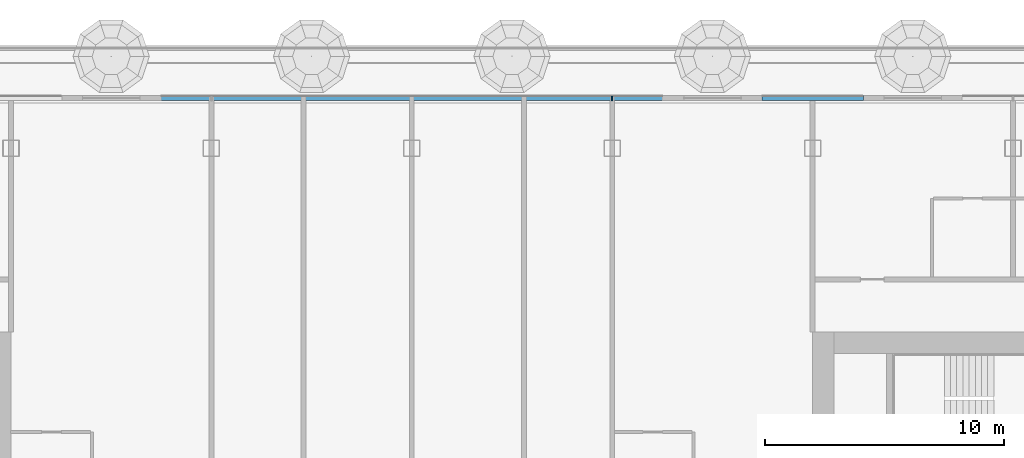
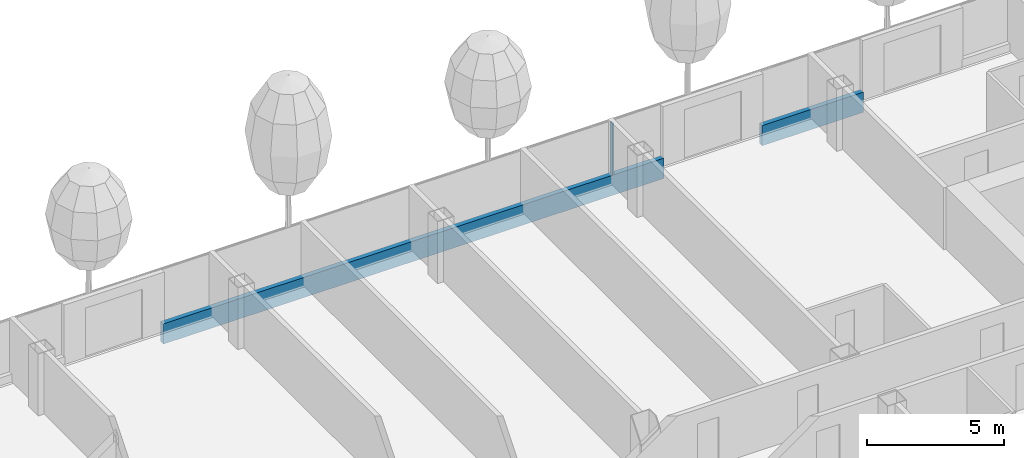
# One storey, part 6 of 29: 3 members, 1 element without a shape of its own.
"""IFC4 building model written with IfcOpenShell, lengths in metres."""

from ifc_helpers import new_model, si_unit, direction, frame, origin, origin_2d, place, context, subcontext, project, spatial, rectangle, extrude, material, layer, layer_set, material_profile, profile_set, type_object, element, aggregate, save


model = new_model("IFC4")

# Units and contexts
model_context = context("Model", 3, precision=1e-05, world=origin(), true_north=direction((0.0, 1.0)))
body_context = subcontext(model_context, "Body", "Model", "MODEL_VIEW")
ifc_project = project(units=[si_unit("LENGTHUNIT", "METRE"), si_unit("AREAUNIT", "SQUARE_METRE"), si_unit("VOLUMEUNIT", "CUBIC_METRE"), si_unit("PLANEANGLEUNIT", "RADIAN"), si_unit("MASSUNIT", "GRAM", prefix="KILO")], contexts=[model_context])

# Site, building, storey
site_placement = place(None, origin())
site = spatial("IfcSite", under=ifc_project, at=site_placement, CompositionType="ELEMENT")
building_placement = place(site_placement, origin())
building = spatial("IfcBuilding", under=site, at=building_placement, Name="Hakoniwa Tower and Hamabe Station Hall", CompositionType="ELEMENT")
storey_placement = place(building_placement, frame((0.0, 0.0, 163.0)))
storey = spatial("IfcBuildingStorey", under=building, at=storey_placement, Name="L46", CompositionType="ELEMENT", Elevation=163.0)

# Curtain wall, members
ifc_material_1 = material(Name="Dark low-e laminated glass", Category="glass")
ifc_layer = layer(ifc_material_1, 0.199951171875)
ifc_layer_set = layer_set([ifc_layer], Name="CW-1 UNITISED GUEST")
curtain_wall_type = type_object("IfcCurtainWallType", Name="CW-1 UNITISED GUEST", PredefinedType="NOTDEFINED", material=ifc_layer_set)
curtain_wall_placement = place(storey_placement, origin())
curtain_wall = element("IfcCurtainWall", 1, at=curtain_wall_placement, inside=storey, type_object=curtain_wall_type, Name="CW-1 curtain wall", PredefinedType="NOTDEFINED")
ifc_material_2 = material(Name="Aluminium 6063-T5 black anodised", Category="aluminium")
ifc_material_profile_1 = material_profile(ifc_material_2, rectangle(XDim=0.199951171875, YDim=0.89990234375, at=origin_2d()), Name="CW SLAB-EDGE BAND 900X200")
ifc_profile_set_1 = profile_set([ifc_material_profile_1], Name="Aluminium 6063-T5 black anodised")
member_type_1 = type_object("IfcMemberType", Name="CW SLAB-EDGE BAND 900X200", PredefinedType="USERDEFINED", material=ifc_profile_set_1)
member_1_placement = place(storey_placement, frame((18.929931640625, 18.199951171875, -0.10009765625), z_axis=(-1.0, 0.0, 0.0), x_axis=(0.0, -1.0, 0.0)))
member_1 = element("IfcMember", 2, at=member_1_placement, type_object=member_type_1, Name="CW-1 transom", ObjectType="TRANSOM", PredefinedType="USERDEFINED", context=body_context, shape_type="SweptSolid", body=[
    extrude(rectangle(XDim=0.199951171875, YDim=0.89990234375, at=origin_2d()), origin(), (0.0, 0.0, 1.0), 4.260009765625),
])
member_2_placement = place(storey_placement, frame((10.530029296875, 18.199951171875, -0.10009765625), z_axis=(-1.0, 0.0, 0.0), x_axis=(0.0, -1.0, 0.0)))
member_2 = element("IfcMember", 3, at=member_2_placement, type_object=member_type_1, Name="CW-1 transom", ObjectType="TRANSOM", PredefinedType="USERDEFINED", context=body_context, shape_type="SweptSolid", body=[
    extrude(rectangle(XDim=0.199951171875, YDim=0.89990234375, at=origin_2d()), origin(), (0.0, 0.0, 1.0), 21.06005859375),
])
ifc_material_3 = material(Name="Aluminium 6063-T5 black anodised", Category="aluminium")
ifc_material_profile_2 = material_profile(ifc_material_3, rectangle(XDim=0.06005859375, YDim=0.179931640625, at=origin_2d()), Name="CW-1 MULLION 60X180")
ifc_profile_set_2 = profile_set([ifc_material_profile_2], Name="Aluminium 6063-T5 black anodised")
member_type_2 = type_object("IfcMemberType", Name="CW-1 MULLION 60X180", PredefinedType="MULLION", material=ifc_profile_set_2)
member_3_placement = place(storey_placement, frame((8.39990234375, 18.181884765625, 0.35009765625), z_axis=(0.0, 0.0, 1.0), x_axis=(-1.0, 0.0, 0.0)))
member_3 = element("IfcMember", 4, at=member_3_placement, type_object=member_type_2, Name="CW-1 mullion", PredefinedType="MULLION", context=body_context, shape_type="SweptSolid", body=[
    extrude(rectangle(XDim=0.06005859375, YDim=0.179931640625, at=origin_2d()), origin(), (0.0, 0.0, 1.0), 2.2998046875),
])
aggregate(curtain_wall, [member_3, member_1, member_2])

save(model, "model.ifc")
